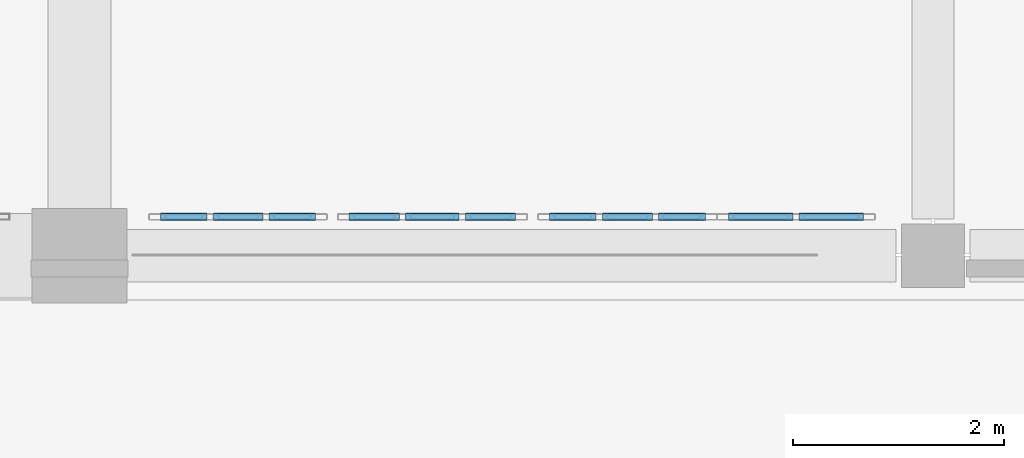
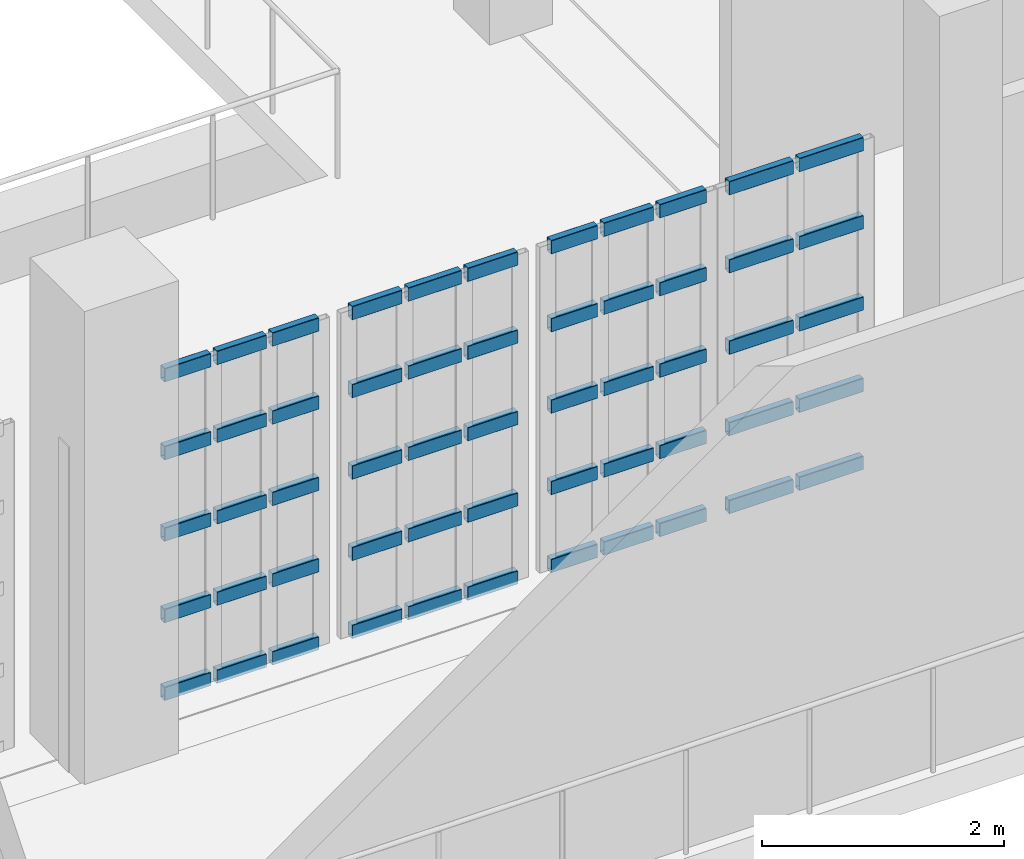
# One storey, part 64 of 104: 55 members, 4 elements without a shape of their own.
"""IFC4 building model written with IfcOpenShell, lengths in metres."""

from ifc_helpers import new_model, si_unit, direction, frame, origin, origin_2d, place, context, subcontext, project, spatial, hollow_rectangle, extrude, material, material_profile, profile_set, type_object, element, aggregate, save


model = new_model("IFC4")

# Units and contexts
model_context = context("Model", 3, precision=1e-05, world=origin(), true_north=direction((0.0, 1.0)))
body_context = subcontext(model_context, "Body", "Model", "MODEL_VIEW")
ifc_project = project(units=[si_unit("LENGTHUNIT", "METRE"), si_unit("AREAUNIT", "SQUARE_METRE"), si_unit("VOLUMEUNIT", "CUBIC_METRE"), si_unit("PLANEANGLEUNIT", "RADIAN"), si_unit("MASSUNIT", "GRAM", prefix="KILO")], contexts=[model_context])

# Site, building, storey
site_placement = place(None, origin())
site = spatial("IfcSite", under=ifc_project, at=site_placement, CompositionType="ELEMENT")
building_placement = place(site_placement, origin())
building = spatial("IfcBuilding", under=site, at=building_placement, Name="Kaelora Sail Theatre", CompositionType="ELEMENT")
storey_placement = place(building_placement, frame((0.0, 0.0, 5.39990234375)))
storey = spatial("IfcBuildingStorey", under=building, at=storey_placement, Name="L01", CompositionType="ELEMENT", Elevation=5.39990234375)

# Curtain wall, members
ifc_material_1 = material(Name="Anodised aluminium and solar-control low-E IGU", Category="aluminium")
curtain_wall_type = type_object("IfcCurtainWallType", Name="ARC-CW-CW-FOY2", PredefinedType="NOTDEFINED", material=ifc_material_1)
curtain_wall_1_placement = place(storey_placement, origin())
curtain_wall_1 = element("IfcCurtainWall", 1, at=curtain_wall_1_placement, inside=storey, type_object=curtain_wall_type, Name="Glazed Foyer/Conservatory Curtain Wall FC1-S-L01-05", PredefinedType="NOTDEFINED")
ifc_material_2 = material(Name="Anodised aluminium 6063-T6", Category="aluminium")
ifc_material_profile = material_profile(ifc_material_2, hollow_rectangle(XDim=0.070068359375, YDim=0.139892578125, WallThickness=0.00390625, InnerFilletRadius=0.00390625, OuterFilletRadius=0.008056640625, at=origin_2d()), Name="ALU-TRAN 70x140x4")
ifc_profile_set = profile_set([ifc_material_profile], Name="Anodised aluminium 6063-T6")
member_type = type_object("IfcMemberType", Name="ARC-MEM-TR-140", PredefinedType="USERDEFINED", material=ifc_profile_set)
member_1_placement = place(storey_placement, frame((83.27001953125, 61.389892578125, 0.03515625), z_axis=(1.0, 0.0, 0.0), x_axis=(0.0, 1.0, 0.0)))
member_1 = element("IfcMember", 2, at=member_1_placement, type_object=member_type, Name="CW-FOY2 transom 1.1", ObjectType="TRANSOM", PredefinedType="USERDEFINED", context=body_context, shape_type="SweptSolid", body=[
    extrude(hollow_rectangle(XDim=0.070068359375, YDim=0.139892578125, WallThickness=0.00390625, InnerFilletRadius=0.00390625, OuterFilletRadius=0.008056640625, at=origin_2d()), origin(), (0.0, 0.0, 1.0), 0.43994140625),
])
member_2_placement = place(storey_placement, frame((83.27001953125, 61.389892578125, 0.82177734375), z_axis=(1.0, 0.0, 0.0), x_axis=(0.0, 1.0, 0.0)))
member_2 = element("IfcMember", 3, at=member_2_placement, type_object=member_type, Name="CW-FOY2 transom 1.2", ObjectType="TRANSOM", PredefinedType="USERDEFINED", context=body_context, shape_type="SweptSolid", body=[
    extrude(hollow_rectangle(XDim=0.070068359375, YDim=0.139892578125, WallThickness=0.00390625, InnerFilletRadius=0.00390625, OuterFilletRadius=0.008056640625, at=origin_2d()), origin(), (0.0, 0.0, 1.0), 0.43994140625),
])
member_3_placement = place(storey_placement, frame((83.27001953125, 61.389892578125, 1.6435546875), z_axis=(1.0, 0.0, 0.0), x_axis=(0.0, 1.0, 0.0)))
member_3 = element("IfcMember", 4, at=member_3_placement, type_object=member_type, Name="CW-FOY2 transom 1.3", ObjectType="TRANSOM", PredefinedType="USERDEFINED", context=body_context, shape_type="SweptSolid", body=[
    extrude(hollow_rectangle(XDim=0.070068359375, YDim=0.139892578125, WallThickness=0.00390625, InnerFilletRadius=0.00390625, OuterFilletRadius=0.008056640625, at=origin_2d()), origin(), (0.0, 0.0, 1.0), 0.43994140625),
])
member_4_placement = place(storey_placement, frame((83.27001953125, 61.389892578125, 2.46533203125), z_axis=(1.0, 0.0, 0.0), x_axis=(0.0, 1.0, 0.0)))
member_4 = element("IfcMember", 5, at=member_4_placement, type_object=member_type, Name="CW-FOY2 transom 1.4", ObjectType="TRANSOM", PredefinedType="USERDEFINED", context=body_context, shape_type="SweptSolid", body=[
    extrude(hollow_rectangle(XDim=0.070068359375, YDim=0.139892578125, WallThickness=0.00390625, InnerFilletRadius=0.00390625, OuterFilletRadius=0.008056640625, at=origin_2d()), origin(), (0.0, 0.0, 1.0), 0.43994140625),
])
member_5_placement = place(storey_placement, frame((83.27001953125, 61.389892578125, 3.252197265625), z_axis=(1.0, 0.0, 0.0), x_axis=(0.0, 1.0, 0.0)))
member_5 = element("IfcMember", 6, at=member_5_placement, type_object=member_type, Name="CW-FOY2 transom 1.5", ObjectType="TRANSOM", PredefinedType="USERDEFINED", context=body_context, shape_type="SweptSolid", body=[
    extrude(hollow_rectangle(XDim=0.070068359375, YDim=0.139892578125, WallThickness=0.00390625, InnerFilletRadius=0.00390625, OuterFilletRadius=0.008056640625, at=origin_2d()), origin(), (0.0, 0.0, 1.0), 0.43994140625),
])
member_6_placement = place(storey_placement, frame((83.77001953125, 61.389892578125, 0.03515625), z_axis=(1.0, 0.0, 0.0), x_axis=(0.0, 1.0, 0.0)))
member_6 = element("IfcMember", 7, at=member_6_placement, type_object=member_type, Name="CW-FOY2 transom 2.1", ObjectType="TRANSOM", PredefinedType="USERDEFINED", context=body_context, shape_type="SweptSolid", body=[
    extrude(hollow_rectangle(XDim=0.070068359375, YDim=0.139892578125, WallThickness=0.00390625, InnerFilletRadius=0.00390625, OuterFilletRadius=0.008056640625, at=origin_2d()), origin(), (0.0, 0.0, 1.0), 0.469970703125),
])
member_7_placement = place(storey_placement, frame((83.77001953125, 61.389892578125, 0.82177734375), z_axis=(1.0, 0.0, 0.0), x_axis=(0.0, 1.0, 0.0)))
member_7 = element("IfcMember", 8, at=member_7_placement, type_object=member_type, Name="CW-FOY2 transom 2.2", ObjectType="TRANSOM", PredefinedType="USERDEFINED", context=body_context, shape_type="SweptSolid", body=[
    extrude(hollow_rectangle(XDim=0.070068359375, YDim=0.139892578125, WallThickness=0.00390625, InnerFilletRadius=0.00390625, OuterFilletRadius=0.008056640625, at=origin_2d()), origin(), (0.0, 0.0, 1.0), 0.469970703125),
])
member_8_placement = place(storey_placement, frame((83.77001953125, 61.389892578125, 1.6435546875), z_axis=(1.0, 0.0, 0.0), x_axis=(0.0, 1.0, 0.0)))
member_8 = element("IfcMember", 9, at=member_8_placement, type_object=member_type, Name="CW-FOY2 transom 2.3", ObjectType="TRANSOM", PredefinedType="USERDEFINED", context=body_context, shape_type="SweptSolid", body=[
    extrude(hollow_rectangle(XDim=0.070068359375, YDim=0.139892578125, WallThickness=0.00390625, InnerFilletRadius=0.00390625, OuterFilletRadius=0.008056640625, at=origin_2d()), origin(), (0.0, 0.0, 1.0), 0.469970703125),
])
member_9_placement = place(storey_placement, frame((83.77001953125, 61.389892578125, 2.46533203125), z_axis=(1.0, 0.0, 0.0), x_axis=(0.0, 1.0, 0.0)))
member_9 = element("IfcMember", 10, at=member_9_placement, type_object=member_type, Name="CW-FOY2 transom 2.4", ObjectType="TRANSOM", PredefinedType="USERDEFINED", context=body_context, shape_type="SweptSolid", body=[
    extrude(hollow_rectangle(XDim=0.070068359375, YDim=0.139892578125, WallThickness=0.00390625, InnerFilletRadius=0.00390625, OuterFilletRadius=0.008056640625, at=origin_2d()), origin(), (0.0, 0.0, 1.0), 0.469970703125),
])
member_10_placement = place(storey_placement, frame((83.77001953125, 61.389892578125, 3.252197265625), z_axis=(1.0, 0.0, 0.0), x_axis=(0.0, 1.0, 0.0)))
member_10 = element("IfcMember", 11, at=member_10_placement, type_object=member_type, Name="CW-FOY2 transom 2.5", ObjectType="TRANSOM", PredefinedType="USERDEFINED", context=body_context, shape_type="SweptSolid", body=[
    extrude(hollow_rectangle(XDim=0.070068359375, YDim=0.139892578125, WallThickness=0.00390625, InnerFilletRadius=0.00390625, OuterFilletRadius=0.008056640625, at=origin_2d()), origin(), (0.0, 0.0, 1.0), 0.469970703125),
])
member_11_placement = place(storey_placement, frame((84.300048828125, 61.389892578125, 0.03515625), z_axis=(1.0, 0.0, 0.0), x_axis=(0.0, 1.0, 0.0)))
member_11 = element("IfcMember", 12, at=member_11_placement, type_object=member_type, Name="CW-FOY2 transom 3.1", ObjectType="TRANSOM", PredefinedType="USERDEFINED", context=body_context, shape_type="SweptSolid", body=[
    extrude(hollow_rectangle(XDim=0.070068359375, YDim=0.139892578125, WallThickness=0.00390625, InnerFilletRadius=0.00390625, OuterFilletRadius=0.008056640625, at=origin_2d()), origin(), (0.0, 0.0, 1.0), 0.43994140625),
])
member_12_placement = place(storey_placement, frame((84.300048828125, 61.389892578125, 0.82177734375), z_axis=(1.0, 0.0, 0.0), x_axis=(0.0, 1.0, 0.0)))
member_12 = element("IfcMember", 13, at=member_12_placement, type_object=member_type, Name="CW-FOY2 transom 3.2", ObjectType="TRANSOM", PredefinedType="USERDEFINED", context=body_context, shape_type="SweptSolid", body=[
    extrude(hollow_rectangle(XDim=0.070068359375, YDim=0.139892578125, WallThickness=0.00390625, InnerFilletRadius=0.00390625, OuterFilletRadius=0.008056640625, at=origin_2d()), origin(), (0.0, 0.0, 1.0), 0.43994140625),
])
member_13_placement = place(storey_placement, frame((84.300048828125, 61.389892578125, 1.6435546875), z_axis=(1.0, 0.0, 0.0), x_axis=(0.0, 1.0, 0.0)))
member_13 = element("IfcMember", 14, at=member_13_placement, type_object=member_type, Name="CW-FOY2 transom 3.3", ObjectType="TRANSOM", PredefinedType="USERDEFINED", context=body_context, shape_type="SweptSolid", body=[
    extrude(hollow_rectangle(XDim=0.070068359375, YDim=0.139892578125, WallThickness=0.00390625, InnerFilletRadius=0.00390625, OuterFilletRadius=0.008056640625, at=origin_2d()), origin(), (0.0, 0.0, 1.0), 0.43994140625),
])
member_14_placement = place(storey_placement, frame((84.300048828125, 61.389892578125, 2.46533203125), z_axis=(1.0, 0.0, 0.0), x_axis=(0.0, 1.0, 0.0)))
member_14 = element("IfcMember", 15, at=member_14_placement, type_object=member_type, Name="CW-FOY2 transom 3.4", ObjectType="TRANSOM", PredefinedType="USERDEFINED", context=body_context, shape_type="SweptSolid", body=[
    extrude(hollow_rectangle(XDim=0.070068359375, YDim=0.139892578125, WallThickness=0.00390625, InnerFilletRadius=0.00390625, OuterFilletRadius=0.008056640625, at=origin_2d()), origin(), (0.0, 0.0, 1.0), 0.43994140625),
])
member_15_placement = place(storey_placement, frame((84.300048828125, 61.389892578125, 3.252197265625), z_axis=(1.0, 0.0, 0.0), x_axis=(0.0, 1.0, 0.0)))
member_15 = element("IfcMember", 16, at=member_15_placement, type_object=member_type, Name="CW-FOY2 transom 3.5", ObjectType="TRANSOM", PredefinedType="USERDEFINED", context=body_context, shape_type="SweptSolid", body=[
    extrude(hollow_rectangle(XDim=0.070068359375, YDim=0.139892578125, WallThickness=0.00390625, InnerFilletRadius=0.00390625, OuterFilletRadius=0.008056640625, at=origin_2d()), origin(), (0.0, 0.0, 1.0), 0.43994140625),
])
aggregate(curtain_wall_1, [member_1, member_2, member_3, member_4, member_5, member_6, member_7, member_8, member_9, member_10, member_11, member_12, member_13, member_14, member_15])

curtain_wall_2_placement = place(storey_placement, origin())
curtain_wall_2 = element("IfcCurtainWall", 17, at=curtain_wall_2_placement, inside=storey, type_object=curtain_wall_type, Name="Glazed Foyer/Conservatory Curtain Wall FC1-S-L01-06", PredefinedType="NOTDEFINED")
member_16_placement = place(storey_placement, frame((85.06005859375, 61.389892578125, 0.03515625), z_axis=(1.0, 0.0, 0.0), x_axis=(0.0, 1.0, 0.0)))
member_16 = element("IfcMember", 18, at=member_16_placement, type_object=member_type, Name="CW-FOY2 transom 1.1", ObjectType="TRANSOM", PredefinedType="USERDEFINED", context=body_context, shape_type="SweptSolid", body=[
    extrude(hollow_rectangle(XDim=0.070068359375, YDim=0.139892578125, WallThickness=0.00390625, InnerFilletRadius=0.00390625, OuterFilletRadius=0.008056640625, at=origin_2d()), origin(), (0.0, 0.0, 1.0), 0.4765625),
])
member_17_placement = place(storey_placement, frame((85.06005859375, 61.389892578125, 0.82177734375), z_axis=(1.0, 0.0, 0.0), x_axis=(0.0, 1.0, 0.0)))
member_17 = element("IfcMember", 19, at=member_17_placement, type_object=member_type, Name="CW-FOY2 transom 1.2", ObjectType="TRANSOM", PredefinedType="USERDEFINED", context=body_context, shape_type="SweptSolid", body=[
    extrude(hollow_rectangle(XDim=0.070068359375, YDim=0.139892578125, WallThickness=0.00390625, InnerFilletRadius=0.00390625, OuterFilletRadius=0.008056640625, at=origin_2d()), origin(), (0.0, 0.0, 1.0), 0.4765625),
])
member_18_placement = place(storey_placement, frame((85.06005859375, 61.389892578125, 1.6435546875), z_axis=(1.0, 0.0, 0.0), x_axis=(0.0, 1.0, 0.0)))
member_18 = element("IfcMember", 20, at=member_18_placement, type_object=member_type, Name="CW-FOY2 transom 1.3", ObjectType="TRANSOM", PredefinedType="USERDEFINED", context=body_context, shape_type="SweptSolid", body=[
    extrude(hollow_rectangle(XDim=0.070068359375, YDim=0.139892578125, WallThickness=0.00390625, InnerFilletRadius=0.00390625, OuterFilletRadius=0.008056640625, at=origin_2d()), origin(), (0.0, 0.0, 1.0), 0.4765625),
])
member_19_placement = place(storey_placement, frame((85.06005859375, 61.389892578125, 2.46533203125), z_axis=(1.0, 0.0, 0.0), x_axis=(0.0, 1.0, 0.0)))
member_19 = element("IfcMember", 21, at=member_19_placement, type_object=member_type, Name="CW-FOY2 transom 1.4", ObjectType="TRANSOM", PredefinedType="USERDEFINED", context=body_context, shape_type="SweptSolid", body=[
    extrude(hollow_rectangle(XDim=0.070068359375, YDim=0.139892578125, WallThickness=0.00390625, InnerFilletRadius=0.00390625, OuterFilletRadius=0.008056640625, at=origin_2d()), origin(), (0.0, 0.0, 1.0), 0.4765625),
])
member_20_placement = place(storey_placement, frame((85.06005859375, 61.389892578125, 3.252197265625), z_axis=(1.0, 0.0, 0.0), x_axis=(0.0, 1.0, 0.0)))
member_20 = element("IfcMember", 22, at=member_20_placement, type_object=member_type, Name="CW-FOY2 transom 1.5", ObjectType="TRANSOM", PredefinedType="USERDEFINED", context=body_context, shape_type="SweptSolid", body=[
    extrude(hollow_rectangle(XDim=0.070068359375, YDim=0.139892578125, WallThickness=0.00390625, InnerFilletRadius=0.00390625, OuterFilletRadius=0.008056640625, at=origin_2d()), origin(), (0.0, 0.0, 1.0), 0.4765625),
])
member_21_placement = place(storey_placement, frame((85.5966796875, 61.389892578125, 0.03515625), z_axis=(1.0, 0.0, 0.0), x_axis=(0.0, 1.0, 0.0)))
member_21 = element("IfcMember", 23, at=member_21_placement, type_object=member_type, Name="CW-FOY2 transom 2.1", ObjectType="TRANSOM", PredefinedType="USERDEFINED", context=body_context, shape_type="SweptSolid", body=[
    extrude(hollow_rectangle(XDim=0.070068359375, YDim=0.139892578125, WallThickness=0.00390625, InnerFilletRadius=0.00390625, OuterFilletRadius=0.008056640625, at=origin_2d()), origin(), (0.0, 0.0, 1.0), 0.506591796875),
])
member_22_placement = place(storey_placement, frame((85.5966796875, 61.389892578125, 0.82177734375), z_axis=(1.0, 0.0, 0.0), x_axis=(0.0, 1.0, 0.0)))
member_22 = element("IfcMember", 24, at=member_22_placement, type_object=member_type, Name="CW-FOY2 transom 2.2", ObjectType="TRANSOM", PredefinedType="USERDEFINED", context=body_context, shape_type="SweptSolid", body=[
    extrude(hollow_rectangle(XDim=0.070068359375, YDim=0.139892578125, WallThickness=0.00390625, InnerFilletRadius=0.00390625, OuterFilletRadius=0.008056640625, at=origin_2d()), origin(), (0.0, 0.0, 1.0), 0.506591796875),
])
member_23_placement = place(storey_placement, frame((85.5966796875, 61.389892578125, 1.6435546875), z_axis=(1.0, 0.0, 0.0), x_axis=(0.0, 1.0, 0.0)))
member_23 = element("IfcMember", 25, at=member_23_placement, type_object=member_type, Name="CW-FOY2 transom 2.3", ObjectType="TRANSOM", PredefinedType="USERDEFINED", context=body_context, shape_type="SweptSolid", body=[
    extrude(hollow_rectangle(XDim=0.070068359375, YDim=0.139892578125, WallThickness=0.00390625, InnerFilletRadius=0.00390625, OuterFilletRadius=0.008056640625, at=origin_2d()), origin(), (0.0, 0.0, 1.0), 0.506591796875),
])
member_24_placement = place(storey_placement, frame((85.5966796875, 61.389892578125, 2.46533203125), z_axis=(1.0, 0.0, 0.0), x_axis=(0.0, 1.0, 0.0)))
member_24 = element("IfcMember", 26, at=member_24_placement, type_object=member_type, Name="CW-FOY2 transom 2.4", ObjectType="TRANSOM", PredefinedType="USERDEFINED", context=body_context, shape_type="SweptSolid", body=[
    extrude(hollow_rectangle(XDim=0.070068359375, YDim=0.139892578125, WallThickness=0.00390625, InnerFilletRadius=0.00390625, OuterFilletRadius=0.008056640625, at=origin_2d()), origin(), (0.0, 0.0, 1.0), 0.506591796875),
])
member_25_placement = place(storey_placement, frame((85.5966796875, 61.389892578125, 3.252197265625), z_axis=(1.0, 0.0, 0.0), x_axis=(0.0, 1.0, 0.0)))
member_25 = element("IfcMember", 27, at=member_25_placement, type_object=member_type, Name="CW-FOY2 transom 2.5", ObjectType="TRANSOM", PredefinedType="USERDEFINED", context=body_context, shape_type="SweptSolid", body=[
    extrude(hollow_rectangle(XDim=0.070068359375, YDim=0.139892578125, WallThickness=0.00390625, InnerFilletRadius=0.00390625, OuterFilletRadius=0.008056640625, at=origin_2d()), origin(), (0.0, 0.0, 1.0), 0.506591796875),
])
member_26_placement = place(storey_placement, frame((86.163330078125, 61.389892578125, 0.03515625), z_axis=(1.0, 0.0, 0.0), x_axis=(0.0, 1.0, 0.0)))
member_26 = element("IfcMember", 28, at=member_26_placement, type_object=member_type, Name="CW-FOY2 transom 3.1", ObjectType="TRANSOM", PredefinedType="USERDEFINED", context=body_context, shape_type="SweptSolid", body=[
    extrude(hollow_rectangle(XDim=0.070068359375, YDim=0.139892578125, WallThickness=0.00390625, InnerFilletRadius=0.00390625, OuterFilletRadius=0.008056640625, at=origin_2d()), origin(), (0.0, 0.0, 1.0), 0.4765625),
])
member_27_placement = place(storey_placement, frame((86.163330078125, 61.389892578125, 0.82177734375), z_axis=(1.0, 0.0, 0.0), x_axis=(0.0, 1.0, 0.0)))
member_27 = element("IfcMember", 29, at=member_27_placement, type_object=member_type, Name="CW-FOY2 transom 3.2", ObjectType="TRANSOM", PredefinedType="USERDEFINED", context=body_context, shape_type="SweptSolid", body=[
    extrude(hollow_rectangle(XDim=0.070068359375, YDim=0.139892578125, WallThickness=0.00390625, InnerFilletRadius=0.00390625, OuterFilletRadius=0.008056640625, at=origin_2d()), origin(), (0.0, 0.0, 1.0), 0.4765625),
])
member_28_placement = place(storey_placement, frame((86.163330078125, 61.389892578125, 1.6435546875), z_axis=(1.0, 0.0, 0.0), x_axis=(0.0, 1.0, 0.0)))
member_28 = element("IfcMember", 30, at=member_28_placement, type_object=member_type, Name="CW-FOY2 transom 3.3", ObjectType="TRANSOM", PredefinedType="USERDEFINED", context=body_context, shape_type="SweptSolid", body=[
    extrude(hollow_rectangle(XDim=0.070068359375, YDim=0.139892578125, WallThickness=0.00390625, InnerFilletRadius=0.00390625, OuterFilletRadius=0.008056640625, at=origin_2d()), origin(), (0.0, 0.0, 1.0), 0.4765625),
])
member_29_placement = place(storey_placement, frame((86.163330078125, 61.389892578125, 2.46533203125), z_axis=(1.0, 0.0, 0.0), x_axis=(0.0, 1.0, 0.0)))
member_29 = element("IfcMember", 31, at=member_29_placement, type_object=member_type, Name="CW-FOY2 transom 3.4", ObjectType="TRANSOM", PredefinedType="USERDEFINED", context=body_context, shape_type="SweptSolid", body=[
    extrude(hollow_rectangle(XDim=0.070068359375, YDim=0.139892578125, WallThickness=0.00390625, InnerFilletRadius=0.00390625, OuterFilletRadius=0.008056640625, at=origin_2d()), origin(), (0.0, 0.0, 1.0), 0.4765625),
])
member_30_placement = place(storey_placement, frame((86.163330078125, 61.389892578125, 3.252197265625), z_axis=(1.0, 0.0, 0.0), x_axis=(0.0, 1.0, 0.0)))
member_30 = element("IfcMember", 32, at=member_30_placement, type_object=member_type, Name="CW-FOY2 transom 3.5", ObjectType="TRANSOM", PredefinedType="USERDEFINED", context=body_context, shape_type="SweptSolid", body=[
    extrude(hollow_rectangle(XDim=0.070068359375, YDim=0.139892578125, WallThickness=0.00390625, InnerFilletRadius=0.00390625, OuterFilletRadius=0.008056640625, at=origin_2d()), origin(), (0.0, 0.0, 1.0), 0.4765625),
])
aggregate(curtain_wall_2, [member_16, member_17, member_18, member_19, member_20, member_21, member_22, member_23, member_24, member_25, member_26, member_27, member_28, member_29, member_30])

curtain_wall_3_placement = place(storey_placement, origin())
curtain_wall_3 = element("IfcCurtainWall", 33, at=curtain_wall_3_placement, inside=storey, type_object=curtain_wall_type, Name="Glazed Foyer/Conservatory Curtain Wall FC1-S-L01-07", PredefinedType="NOTDEFINED")
member_31_placement = place(storey_placement, frame((86.9599609375, 61.389892578125, 0.03515625), z_axis=(1.0, 0.0, 0.0), x_axis=(0.0, 1.0, 0.0)))
member_31 = element("IfcMember", 34, at=member_31_placement, type_object=member_type, Name="CW-FOY2 transom 1.1", ObjectType="TRANSOM", PredefinedType="USERDEFINED", context=body_context, shape_type="SweptSolid", body=[
    extrude(hollow_rectangle(XDim=0.070068359375, YDim=0.139892578125, WallThickness=0.00390625, InnerFilletRadius=0.00390625, OuterFilletRadius=0.008056640625, at=origin_2d()), origin(), (0.0, 0.0, 1.0), 0.443359375),
])
member_32_placement = place(storey_placement, frame((86.9599609375, 61.389892578125, 0.82177734375), z_axis=(1.0, 0.0, 0.0), x_axis=(0.0, 1.0, 0.0)))
member_32 = element("IfcMember", 35, at=member_32_placement, type_object=member_type, Name="CW-FOY2 transom 1.2", ObjectType="TRANSOM", PredefinedType="USERDEFINED", context=body_context, shape_type="SweptSolid", body=[
    extrude(hollow_rectangle(XDim=0.070068359375, YDim=0.139892578125, WallThickness=0.00390625, InnerFilletRadius=0.00390625, OuterFilletRadius=0.008056640625, at=origin_2d()), origin(), (0.0, 0.0, 1.0), 0.443359375),
])
member_33_placement = place(storey_placement, frame((86.9599609375, 61.389892578125, 1.6435546875), z_axis=(1.0, 0.0, 0.0), x_axis=(0.0, 1.0, 0.0)))
member_33 = element("IfcMember", 36, at=member_33_placement, type_object=member_type, Name="CW-FOY2 transom 1.3", ObjectType="TRANSOM", PredefinedType="USERDEFINED", context=body_context, shape_type="SweptSolid", body=[
    extrude(hollow_rectangle(XDim=0.070068359375, YDim=0.139892578125, WallThickness=0.00390625, InnerFilletRadius=0.00390625, OuterFilletRadius=0.008056640625, at=origin_2d()), origin(), (0.0, 0.0, 1.0), 0.443359375),
])
member_34_placement = place(storey_placement, frame((86.9599609375, 61.389892578125, 2.46533203125), z_axis=(1.0, 0.0, 0.0), x_axis=(0.0, 1.0, 0.0)))
member_34 = element("IfcMember", 37, at=member_34_placement, type_object=member_type, Name="CW-FOY2 transom 1.4", ObjectType="TRANSOM", PredefinedType="USERDEFINED", context=body_context, shape_type="SweptSolid", body=[
    extrude(hollow_rectangle(XDim=0.070068359375, YDim=0.139892578125, WallThickness=0.00390625, InnerFilletRadius=0.00390625, OuterFilletRadius=0.008056640625, at=origin_2d()), origin(), (0.0, 0.0, 1.0), 0.443359375),
])
member_35_placement = place(storey_placement, frame((86.9599609375, 61.389892578125, 3.252197265625), z_axis=(1.0, 0.0, 0.0), x_axis=(0.0, 1.0, 0.0)))
member_35 = element("IfcMember", 38, at=member_35_placement, type_object=member_type, Name="CW-FOY2 transom 1.5", ObjectType="TRANSOM", PredefinedType="USERDEFINED", context=body_context, shape_type="SweptSolid", body=[
    extrude(hollow_rectangle(XDim=0.070068359375, YDim=0.139892578125, WallThickness=0.00390625, InnerFilletRadius=0.00390625, OuterFilletRadius=0.008056640625, at=origin_2d()), origin(), (0.0, 0.0, 1.0), 0.443359375),
])
member_36_placement = place(storey_placement, frame((87.46337890625, 61.389892578125, 0.03515625), z_axis=(1.0, 0.0, 0.0), x_axis=(0.0, 1.0, 0.0)))
member_36 = element("IfcMember", 39, at=member_36_placement, type_object=member_type, Name="CW-FOY2 transom 2.1", ObjectType="TRANSOM", PredefinedType="USERDEFINED", context=body_context, shape_type="SweptSolid", body=[
    extrude(hollow_rectangle(XDim=0.070068359375, YDim=0.139892578125, WallThickness=0.00390625, InnerFilletRadius=0.00390625, OuterFilletRadius=0.008056640625, at=origin_2d()), origin(), (0.0, 0.0, 1.0), 0.473388671875),
])
member_37_placement = place(storey_placement, frame((87.46337890625, 61.389892578125, 0.82177734375), z_axis=(1.0, 0.0, 0.0), x_axis=(0.0, 1.0, 0.0)))
member_37 = element("IfcMember", 40, at=member_37_placement, type_object=member_type, Name="CW-FOY2 transom 2.2", ObjectType="TRANSOM", PredefinedType="USERDEFINED", context=body_context, shape_type="SweptSolid", body=[
    extrude(hollow_rectangle(XDim=0.070068359375, YDim=0.139892578125, WallThickness=0.00390625, InnerFilletRadius=0.00390625, OuterFilletRadius=0.008056640625, at=origin_2d()), origin(), (0.0, 0.0, 1.0), 0.473388671875),
])
member_38_placement = place(storey_placement, frame((87.46337890625, 61.389892578125, 1.6435546875), z_axis=(1.0, 0.0, 0.0), x_axis=(0.0, 1.0, 0.0)))
member_38 = element("IfcMember", 41, at=member_38_placement, type_object=member_type, Name="CW-FOY2 transom 2.3", ObjectType="TRANSOM", PredefinedType="USERDEFINED", context=body_context, shape_type="SweptSolid", body=[
    extrude(hollow_rectangle(XDim=0.070068359375, YDim=0.139892578125, WallThickness=0.00390625, InnerFilletRadius=0.00390625, OuterFilletRadius=0.008056640625, at=origin_2d()), origin(), (0.0, 0.0, 1.0), 0.473388671875),
])
member_39_placement = place(storey_placement, frame((87.46337890625, 61.389892578125, 2.46533203125), z_axis=(1.0, 0.0, 0.0), x_axis=(0.0, 1.0, 0.0)))
member_39 = element("IfcMember", 42, at=member_39_placement, type_object=member_type, Name="CW-FOY2 transom 2.4", ObjectType="TRANSOM", PredefinedType="USERDEFINED", context=body_context, shape_type="SweptSolid", body=[
    extrude(hollow_rectangle(XDim=0.070068359375, YDim=0.139892578125, WallThickness=0.00390625, InnerFilletRadius=0.00390625, OuterFilletRadius=0.008056640625, at=origin_2d()), origin(), (0.0, 0.0, 1.0), 0.473388671875),
])
member_40_placement = place(storey_placement, frame((87.46337890625, 61.389892578125, 3.252197265625), z_axis=(1.0, 0.0, 0.0), x_axis=(0.0, 1.0, 0.0)))
member_40 = element("IfcMember", 43, at=member_40_placement, type_object=member_type, Name="CW-FOY2 transom 2.5", ObjectType="TRANSOM", PredefinedType="USERDEFINED", context=body_context, shape_type="SweptSolid", body=[
    extrude(hollow_rectangle(XDim=0.070068359375, YDim=0.139892578125, WallThickness=0.00390625, InnerFilletRadius=0.00390625, OuterFilletRadius=0.008056640625, at=origin_2d()), origin(), (0.0, 0.0, 1.0), 0.473388671875),
])
member_41_placement = place(storey_placement, frame((87.99658203125, 61.389892578125, 0.03515625), z_axis=(1.0, 0.0, 0.0), x_axis=(0.0, 1.0, 0.0)))
member_41 = element("IfcMember", 44, at=member_41_placement, type_object=member_type, Name="CW-FOY2 transom 3.1", ObjectType="TRANSOM", PredefinedType="USERDEFINED", context=body_context, shape_type="SweptSolid", body=[
    extrude(hollow_rectangle(XDim=0.070068359375, YDim=0.139892578125, WallThickness=0.00390625, InnerFilletRadius=0.00390625, OuterFilletRadius=0.008056640625, at=origin_2d()), origin(), (0.0, 0.0, 1.0), 0.443359375),
])
member_42_placement = place(storey_placement, frame((87.99658203125, 61.389892578125, 0.82177734375), z_axis=(1.0, 0.0, 0.0), x_axis=(0.0, 1.0, 0.0)))
member_42 = element("IfcMember", 45, at=member_42_placement, type_object=member_type, Name="CW-FOY2 transom 3.2", ObjectType="TRANSOM", PredefinedType="USERDEFINED", context=body_context, shape_type="SweptSolid", body=[
    extrude(hollow_rectangle(XDim=0.070068359375, YDim=0.139892578125, WallThickness=0.00390625, InnerFilletRadius=0.00390625, OuterFilletRadius=0.008056640625, at=origin_2d()), origin(), (0.0, 0.0, 1.0), 0.443359375),
])
member_43_placement = place(storey_placement, frame((87.99658203125, 61.389892578125, 1.6435546875), z_axis=(1.0, 0.0, 0.0), x_axis=(0.0, 1.0, 0.0)))
member_43 = element("IfcMember", 46, at=member_43_placement, type_object=member_type, Name="CW-FOY2 transom 3.3", ObjectType="TRANSOM", PredefinedType="USERDEFINED", context=body_context, shape_type="SweptSolid", body=[
    extrude(hollow_rectangle(XDim=0.070068359375, YDim=0.139892578125, WallThickness=0.00390625, InnerFilletRadius=0.00390625, OuterFilletRadius=0.008056640625, at=origin_2d()), origin(), (0.0, 0.0, 1.0), 0.443359375),
])
member_44_placement = place(storey_placement, frame((87.99658203125, 61.389892578125, 2.46533203125), z_axis=(1.0, 0.0, 0.0), x_axis=(0.0, 1.0, 0.0)))
member_44 = element("IfcMember", 47, at=member_44_placement, type_object=member_type, Name="CW-FOY2 transom 3.4", ObjectType="TRANSOM", PredefinedType="USERDEFINED", context=body_context, shape_type="SweptSolid", body=[
    extrude(hollow_rectangle(XDim=0.070068359375, YDim=0.139892578125, WallThickness=0.00390625, InnerFilletRadius=0.00390625, OuterFilletRadius=0.008056640625, at=origin_2d()), origin(), (0.0, 0.0, 1.0), 0.443359375),
])
member_45_placement = place(storey_placement, frame((87.99658203125, 61.389892578125, 3.252197265625), z_axis=(1.0, 0.0, 0.0), x_axis=(0.0, 1.0, 0.0)))
member_45 = element("IfcMember", 48, at=member_45_placement, type_object=member_type, Name="CW-FOY2 transom 3.5", ObjectType="TRANSOM", PredefinedType="USERDEFINED", context=body_context, shape_type="SweptSolid", body=[
    extrude(hollow_rectangle(XDim=0.070068359375, YDim=0.139892578125, WallThickness=0.00390625, InnerFilletRadius=0.00390625, OuterFilletRadius=0.008056640625, at=origin_2d()), origin(), (0.0, 0.0, 1.0), 0.443359375),
])
aggregate(curtain_wall_3, [member_31, member_32, member_33, member_34, member_35, member_36, member_37, member_38, member_39, member_40, member_41, member_42, member_43, member_44, member_45])

curtain_wall_4_placement = place(storey_placement, origin())
curtain_wall_4 = element("IfcCurtainWall", 49, at=curtain_wall_4_placement, inside=storey, type_object=curtain_wall_type, Name="Glazed Foyer/Conservatory Curtain Wall FC1-S-L01-08", PredefinedType="NOTDEFINED")
member_46_placement = place(storey_placement, frame((88.659912109375, 61.389892578125, 0.03515625), z_axis=(1.0, 0.0, 0.0), x_axis=(0.0, 1.0, 0.0)))
member_46 = element("IfcMember", 50, at=member_46_placement, type_object=member_type, Name="CW-FOY2 transom 1.1", ObjectType="TRANSOM", PredefinedType="USERDEFINED", context=body_context, shape_type="SweptSolid", body=[
    extrude(hollow_rectangle(XDim=0.070068359375, YDim=0.139892578125, WallThickness=0.00390625, InnerFilletRadius=0.00390625, OuterFilletRadius=0.008056640625, at=origin_2d()), origin(), (0.0, 0.0, 1.0), 0.610107421875),
])
member_47_placement = place(storey_placement, frame((88.659912109375, 61.389892578125, 0.82177734375), z_axis=(1.0, 0.0, 0.0), x_axis=(0.0, 1.0, 0.0)))
member_47 = element("IfcMember", 51, at=member_47_placement, type_object=member_type, Name="CW-FOY2 transom 1.2", ObjectType="TRANSOM", PredefinedType="USERDEFINED", context=body_context, shape_type="SweptSolid", body=[
    extrude(hollow_rectangle(XDim=0.070068359375, YDim=0.139892578125, WallThickness=0.00390625, InnerFilletRadius=0.00390625, OuterFilletRadius=0.008056640625, at=origin_2d()), origin(), (0.0, 0.0, 1.0), 0.610107421875),
])
member_48_placement = place(storey_placement, frame((88.659912109375, 61.389892578125, 1.6435546875), z_axis=(1.0, 0.0, 0.0), x_axis=(0.0, 1.0, 0.0)))
member_48 = element("IfcMember", 52, at=member_48_placement, type_object=member_type, Name="CW-FOY2 transom 1.3", ObjectType="TRANSOM", PredefinedType="USERDEFINED", context=body_context, shape_type="SweptSolid", body=[
    extrude(hollow_rectangle(XDim=0.070068359375, YDim=0.139892578125, WallThickness=0.00390625, InnerFilletRadius=0.00390625, OuterFilletRadius=0.008056640625, at=origin_2d()), origin(), (0.0, 0.0, 1.0), 0.610107421875),
])
member_49_placement = place(storey_placement, frame((88.659912109375, 61.389892578125, 2.46533203125), z_axis=(1.0, 0.0, 0.0), x_axis=(0.0, 1.0, 0.0)))
member_49 = element("IfcMember", 53, at=member_49_placement, type_object=member_type, Name="CW-FOY2 transom 1.4", ObjectType="TRANSOM", PredefinedType="USERDEFINED", context=body_context, shape_type="SweptSolid", body=[
    extrude(hollow_rectangle(XDim=0.070068359375, YDim=0.139892578125, WallThickness=0.00390625, InnerFilletRadius=0.00390625, OuterFilletRadius=0.008056640625, at=origin_2d()), origin(), (0.0, 0.0, 1.0), 0.610107421875),
])
member_50_placement = place(storey_placement, frame((88.659912109375, 61.389892578125, 3.252197265625), z_axis=(1.0, 0.0, 0.0), x_axis=(0.0, 1.0, 0.0)))
member_50 = element("IfcMember", 54, at=member_50_placement, type_object=member_type, Name="CW-FOY2 transom 1.5", ObjectType="TRANSOM", PredefinedType="USERDEFINED", context=body_context, shape_type="SweptSolid", body=[
    extrude(hollow_rectangle(XDim=0.070068359375, YDim=0.139892578125, WallThickness=0.00390625, InnerFilletRadius=0.00390625, OuterFilletRadius=0.008056640625, at=origin_2d()), origin(), (0.0, 0.0, 1.0), 0.610107421875),
])
member_51_placement = place(storey_placement, frame((89.330078125, 61.389892578125, 0.03515625), z_axis=(1.0, 0.0, 0.0), x_axis=(0.0, 1.0, 0.0)))
member_51 = element("IfcMember", 55, at=member_51_placement, type_object=member_type, Name="CW-FOY2 transom 2.1", ObjectType="TRANSOM", PredefinedType="USERDEFINED", context=body_context, shape_type="SweptSolid", body=[
    extrude(hollow_rectangle(XDim=0.070068359375, YDim=0.139892578125, WallThickness=0.00390625, InnerFilletRadius=0.00390625, OuterFilletRadius=0.008056640625, at=origin_2d()), origin(), (0.0, 0.0, 1.0), 0.60986328125),
])
member_52_placement = place(storey_placement, frame((89.330078125, 61.389892578125, 0.82177734375), z_axis=(1.0, 0.0, 0.0), x_axis=(0.0, 1.0, 0.0)))
member_52 = element("IfcMember", 56, at=member_52_placement, type_object=member_type, Name="CW-FOY2 transom 2.2", ObjectType="TRANSOM", PredefinedType="USERDEFINED", context=body_context, shape_type="SweptSolid", body=[
    extrude(hollow_rectangle(XDim=0.070068359375, YDim=0.139892578125, WallThickness=0.00390625, InnerFilletRadius=0.00390625, OuterFilletRadius=0.008056640625, at=origin_2d()), origin(), (0.0, 0.0, 1.0), 0.60986328125),
])
member_53_placement = place(storey_placement, frame((89.330078125, 61.389892578125, 1.6435546875), z_axis=(1.0, 0.0, 0.0), x_axis=(0.0, 1.0, 0.0)))
member_53 = element("IfcMember", 57, at=member_53_placement, type_object=member_type, Name="CW-FOY2 transom 2.3", ObjectType="TRANSOM", PredefinedType="USERDEFINED", context=body_context, shape_type="SweptSolid", body=[
    extrude(hollow_rectangle(XDim=0.070068359375, YDim=0.139892578125, WallThickness=0.00390625, InnerFilletRadius=0.00390625, OuterFilletRadius=0.008056640625, at=origin_2d()), origin(), (0.0, 0.0, 1.0), 0.60986328125),
])
member_54_placement = place(storey_placement, frame((89.330078125, 61.389892578125, 2.46533203125), z_axis=(1.0, 0.0, 0.0), x_axis=(0.0, 1.0, 0.0)))
member_54 = element("IfcMember", 58, at=member_54_placement, type_object=member_type, Name="CW-FOY2 transom 2.4", ObjectType="TRANSOM", PredefinedType="USERDEFINED", context=body_context, shape_type="SweptSolid", body=[
    extrude(hollow_rectangle(XDim=0.070068359375, YDim=0.139892578125, WallThickness=0.00390625, InnerFilletRadius=0.00390625, OuterFilletRadius=0.008056640625, at=origin_2d()), origin(), (0.0, 0.0, 1.0), 0.60986328125),
])
member_55_placement = place(storey_placement, frame((89.330078125, 61.389892578125, 3.252197265625), z_axis=(1.0, 0.0, 0.0), x_axis=(0.0, 1.0, 0.0)))
member_55 = element("IfcMember", 59, at=member_55_placement, type_object=member_type, Name="CW-FOY2 transom 2.5", ObjectType="TRANSOM", PredefinedType="USERDEFINED", context=body_context, shape_type="SweptSolid", body=[
    extrude(hollow_rectangle(XDim=0.070068359375, YDim=0.139892578125, WallThickness=0.00390625, InnerFilletRadius=0.00390625, OuterFilletRadius=0.008056640625, at=origin_2d()), origin(), (0.0, 0.0, 1.0), 0.60986328125),
])
aggregate(curtain_wall_4, [member_46, member_47, member_48, member_49, member_50, member_51, member_52, member_53, member_54, member_55])

save(model, "model.ifc")
